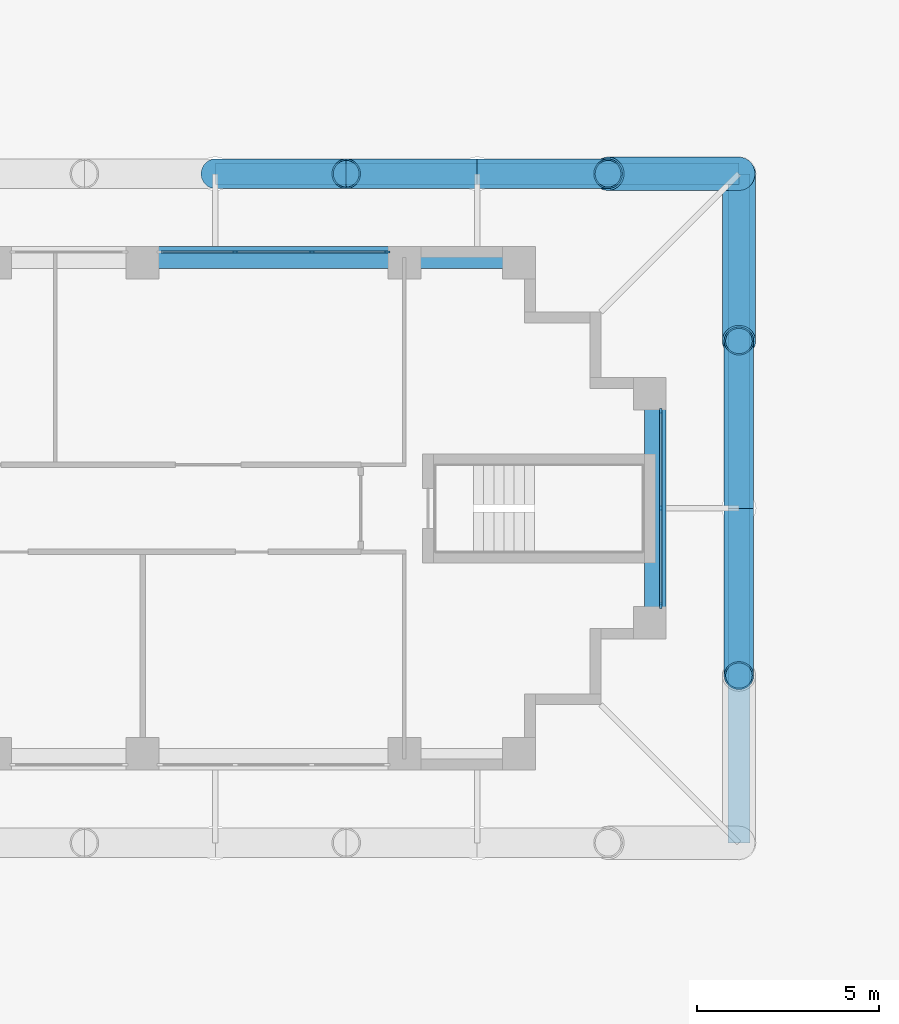
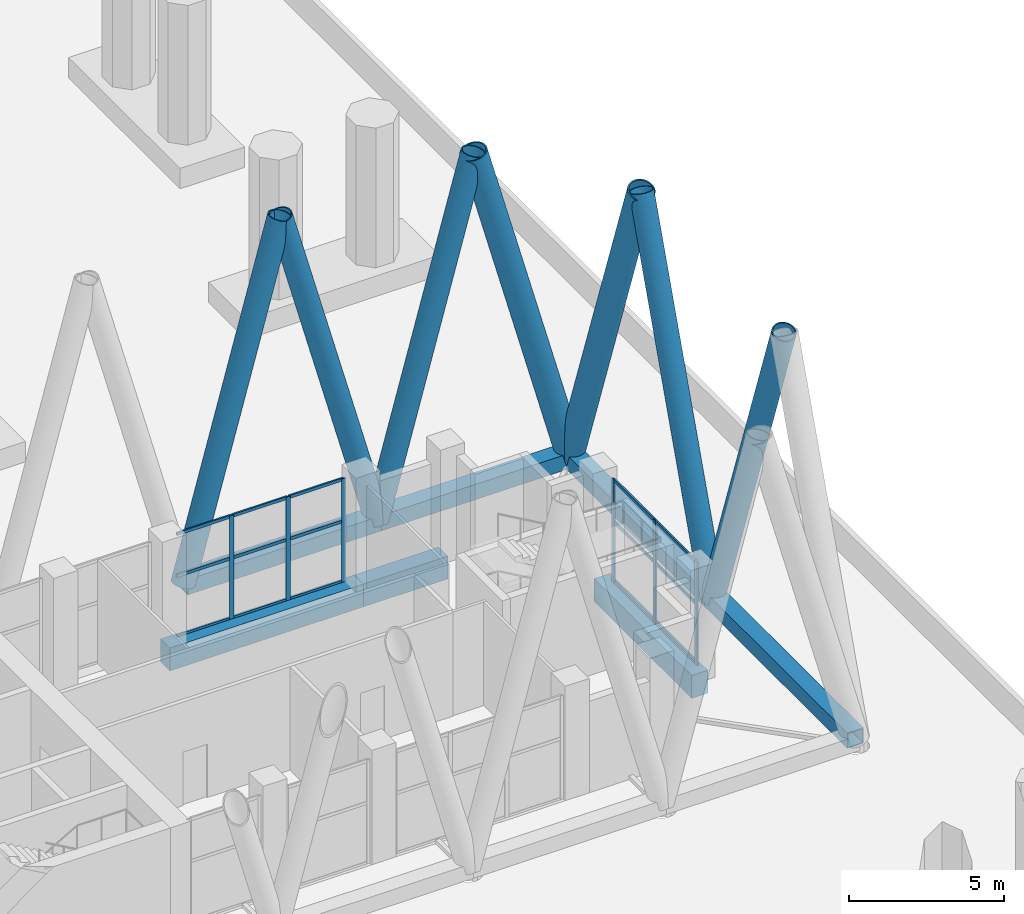
# One storey, part 10 of 31: 32 members, 3 beams, 2 elements without a shape of their own.
"""IFC4 building model written with IfcOpenShell, lengths in metres."""

import ifcopenshell
import ifcopenshell.guid

model = None  # the IFC model being written
_history = None  # IfcOwnerHistory: only IFC2X3 demands one
_inside = {}  # id of a spatial element -> (the spatial element, [elements in it])
_under = {}  # id of a project, library or spatial element -> (it, [spatial elements below it])
_declared = {}  # id of a project -> (the project, [libraries it declares])
_typed = {}  # id of a type object -> (the type object, [elements of that type])
_made_of = {}  # id of a material, layer set ... -> (it, [elements and type objects made of it])


def new_model(schema):
    """Start an empty IFC model of exactly this schema.

    Asked for "IFC4X3", IfcOpenShell would pick the latest addendum, in which some entities
    have other attributes; the version numbers below select the first issue.
    IFC2X3 requires an IfcOwnerHistory on every rooted entity: one is made here for all.
    """
    global model, _history
    if schema == "IFC4X3":
        model = ifcopenshell.file(schema_version=(4, 3, 0, 0))
    else:
        model = ifcopenshell.file(schema=schema)
    _inside.clear()
    _under.clear()
    _declared.clear()
    _typed.clear()
    _made_of.clear()
    _history = None
    if model.schema == "IFC2X3":
        org = make("IfcOrganization", Name="unknown")
        user = make(
            "IfcPersonAndOrganization",
            ThePerson=make("IfcPerson", FamilyName="unknown"),
            TheOrganization=org,
        )
        app = make(
            "IfcApplication",
            ApplicationDeveloper=org,
            Version="unknown",
            ApplicationFullName="unknown",
            ApplicationIdentifier="unknown",
        )
        _history = make(
            "IfcOwnerHistory",
            OwningUser=user,
            OwningApplication=app,
            ChangeAction="ADDED",
            CreationDate=0,
        )
    return model


def make(cls, **values):
    """One entity of the class cls with the attributes given. An attribute that is None is left unset."""
    return model.create_entity(
        cls, **{name: value for name, value in values.items() if value is not None}
    )


def rooted(cls, **values):
    """An entity with a GlobalId (a new one), such as an element, a storey or a relation."""
    return make(cls, GlobalId=ifcopenshell.guid.new(), OwnerHistory=_history, **values)


def si_unit(unit_type, name, prefix=None):
    """IfcSIUnit, for example si_unit("LENGTHUNIT", "METRE", prefix="MILLI")."""
    return make("IfcSIUnit", UnitType=unit_type, Prefix=prefix, Name=name)


def assignment(units):
    """IfcUnitAssignment: the units of a project."""
    return None if units is None else make("IfcUnitAssignment", Units=units)


def point(xyz):
    """IfcCartesianPoint."""
    return None if xyz is None else make("IfcCartesianPoint", Coordinates=xyz)


def direction(xyz):
    """IfcDirection."""
    return None if xyz is None else make("IfcDirection", DirectionRatios=xyz)


def frame(location, z_axis=None, x_axis=None):
    """IfcAxis2Placement3D, a coordinate frame: its origin and axes. An axis left out is left unset."""
    return make(
        "IfcAxis2Placement3D",
        Location=point(location),
        Axis=direction(z_axis),
        RefDirection=direction(x_axis),
    )


def frame_2d(location, x_axis=None):
    """IfcAxis2Placement2D, a coordinate frame in the plane: its origin and x axis."""
    return make(
        "IfcAxis2Placement2D", Location=point(location), RefDirection=direction(x_axis)
    )


def origin():
    """The frame at (0, 0, 0) with its axes left unset."""
    return frame((0.0, 0.0, 0.0))


def origin_2d():
    """The frame at (0, 0) in the plane with its x axis left unset."""
    return frame_2d((0.0, 0.0))


def place(relative_to, where):
    """IfcLocalPlacement: puts the frame where relative to a parent placement (None: the world)."""
    return make(
        "IfcLocalPlacement", PlacementRelTo=relative_to, RelativePlacement=where
    )


def context(
    kind, dimensions, precision=None, world=None, true_north=None, identifier=None
):
    """IfcGeometricRepresentationContext, for example the 3D "Model" context."""
    return make(
        "IfcGeometricRepresentationContext",
        ContextIdentifier=identifier,
        ContextType=kind,
        CoordinateSpaceDimension=dimensions,
        Precision=precision,
        WorldCoordinateSystem=world,
        TrueNorth=true_north,
    )


def subcontext(parent, identifier, kind, view, scale=None):
    """IfcGeometricRepresentationSubContext, for example "Body" below "Model"."""
    return make(
        "IfcGeometricRepresentationSubContext",
        ContextIdentifier=identifier,
        ContextType=kind,
        ParentContext=parent,
        TargetScale=scale,
        TargetView=view,
    )


def project(units=None, contexts=None):
    """IfcProject with its units and contexts."""
    return rooted(
        "IfcProject",
        Name="project",
        RepresentationContexts=contexts,
        UnitsInContext=assignment(units),
    )


def spatial(cls, under=None, at=None, **own):
    """A site, building, storey or space (cls), placed at a placement, below another one or the project."""
    s = rooted(cls, ObjectPlacement=at, **own)
    if under is not None:
        _under.setdefault(under.id(), (under, []))[1].append(s)
    return s


def profile(cls, at=None, kind="AREA", **sizes):
    """A parametric profile (cls). Its sizes go by their IFC names, for example OverallWidth=200.0."""
    return make(cls, ProfileType=kind, Position=at, **sizes)


def rectangle(**sizes):
    """IfcRectangleProfileDef."""
    return profile("IfcRectangleProfileDef", **sizes)


def hollow_rectangle(**sizes):
    """IfcRectangleHollowProfileDef."""
    return profile("IfcRectangleHollowProfileDef", **sizes)


def hollow_circle(**sizes):
    """IfcCircleHollowProfileDef."""
    return profile("IfcCircleHollowProfileDef", **sizes)


def extrude(swept, where, along, depth):
    """IfcExtrudedAreaSolid: the profile swept, set in the frame where, extruded along a direction by depth."""
    return make(
        "IfcExtrudedAreaSolid",
        SweptArea=swept,
        Position=where,
        ExtrudedDirection=direction(along),
        Depth=depth,
    )


def shape(context_of_items, identifier, shape_type, items):
    """IfcShapeRepresentation: the items that make up one representation, for example the "Body"."""
    return make(
        "IfcShapeRepresentation",
        ContextOfItems=context_of_items,
        RepresentationIdentifier=identifier,
        RepresentationType=shape_type,
        Items=items,
    )


def material(Name=None, Category=None):
    """IfcMaterial."""
    return make("IfcMaterial", Name=Name, Category=Category)


def material_profile(
    of_material, cross_section, Name=None, Category=None, Priority=None
):
    """IfcMaterialProfile: a cross section and its material."""
    return make(
        "IfcMaterialProfile",
        Name=Name,
        Material=of_material,
        Profile=cross_section,
        Priority=Priority,
        Category=Category,
    )


def profile_set(profiles, Name=None, composite=None):
    """IfcMaterialProfileSet."""
    return make(
        "IfcMaterialProfileSet",
        Name=Name,
        MaterialProfiles=profiles,
        CompositeProfile=composite,
    )


def made_of(thing, what):
    """Note that an element or type object is made of a material, layer set ...; save() writes the relation."""
    if what is not None:
        _made_of.setdefault(what.id(), (what, []))[1].append(thing)
    return thing


def type_object(cls, material=None, **own):
    """A type object (cls), such as IfcWallType, which elements share."""
    return made_of(rooted(cls, **own), material)


def element(
    cls,
    number,
    at=None,
    inside=None,
    cuts=None,
    type_object=None,
    material=None,
    context=None,
    identifier="Body",
    shape_type=None,
    held_by="IfcProductDefinitionShape",
    body=None,
    shapes=None,
    **own,
):
    """One element of the class cls, such as IfcWall. Its Tag is "e" and its number.

    at: its placement. inside: the storey or other place that contains it. cuts: it is an
    opening in that element (IfcRelVoidsElement). A single representation is given by context,
    identifier, shape_type and body (its items); several are given by shapes. held_by: the class
    of the entity that holds the representations. save() writes the other relations.
    """
    e = rooted(cls, Tag="e%d" % number, ObjectPlacement=at, **own)
    if body is not None:
        shapes = [shape(context, identifier, shape_type, body)]
    if shapes is not None:
        e.Representation = make(held_by, Representations=shapes)
    if inside is not None:
        _inside.setdefault(inside.id(), (inside, []))[1].append(e)
    if cuts is not None:
        rooted(
            "IfcRelVoidsElement", RelatingBuildingElement=cuts, RelatedOpeningElement=e
        )
    if type_object is not None:
        _typed.setdefault(type_object.id(), (type_object, []))[1].append(e)
    return made_of(e, material)


def aggregate(whole, parts):
    """IfcRelAggregates: a whole, such as a stair, and the parts it consists of."""
    return rooted("IfcRelAggregates", RelatingObject=whole, RelatedObjects=parts)


def save(model, path):
    """Write the relations noted so far, then the file.

    IfcRelAggregates (storeys below a building ...), IfcRelContainedInSpatialStructure (elements
    in a storey), IfcRelDefinesByType, IfcRelAssociatesMaterial and IfcRelDeclares: one each for
    every whole, place, type object, material and project.
    """
    for whole, parts in _under.values():
        aggregate(whole, parts)
    for where, things in _inside.values():
        rooted(
            "IfcRelContainedInSpatialStructure",
            RelatedElements=things,
            RelatingStructure=where,
        )
    for kind, things in _typed.values():
        rooted("IfcRelDefinesByType", RelatedObjects=things, RelatingType=kind)
    for what, things in _made_of.values():
        rooted("IfcRelAssociatesMaterial", RelatedObjects=things, RelatingMaterial=what)
    for by, libraries in _declared.values():
        rooted("IfcRelDeclares", RelatingContext=by, RelatedDefinitions=libraries)
    model.write(path)


model = new_model("IFC4")

# Units and contexts
model_context = context("Model", 3, precision=1e-05, world=origin(), true_north=direction((0.0, 1.0)))
body_context = subcontext(model_context, "Body", "Model", "MODEL_VIEW")
ifc_project = project(units=[si_unit("LENGTHUNIT", "METRE"), si_unit("AREAUNIT", "SQUARE_METRE"), si_unit("VOLUMEUNIT", "CUBIC_METRE"), si_unit("PLANEANGLEUNIT", "RADIAN"), si_unit("MASSUNIT", "GRAM", prefix="KILO")], contexts=[model_context])

# Site, building, storey
site_placement = place(None, origin())
site = spatial("IfcSite", under=ifc_project, at=site_placement, CompositionType="ELEMENT")
building_placement = place(site_placement, origin())
building = spatial("IfcBuilding", under=site, at=building_placement, Name="Fustian Cross Tower", CompositionType="ELEMENT")
storey_placement = place(building_placement, frame((0.0, 0.0, 7.199951171875)))
storey = spatial("IfcBuildingStorey", under=building, at=storey_placement, Name="L01", CompositionType="ELEMENT", Elevation=7.199951171875)

# Curtain wall, members
ifc_material_1 = material(Name="Glass", Category="glass")
curtain_wall_type = type_object("IfcCurtainWallType", Name="CW4 CURTAIN WALL", PredefinedType="NOTDEFINED", material=ifc_material_1)
curtain_wall_1_placement = place(storey_placement, origin())
curtain_wall_1 = element("IfcCurtainWall", 1, at=curtain_wall_1_placement, inside=storey, type_object=curtain_wall_type, Name="Curtain wall CW4", PredefinedType="NOTDEFINED")
ifc_material_2 = material(Name="Aluminium alloy 6063", Category="aluminium")
ifc_material_profile_1 = material_profile(ifc_material_2, rectangle(XDim=0.06005859375, YDim=0.159912109375, at=origin_2d()), Name="CW4 MULLION 60x160")
ifc_profile_set_1 = profile_set([ifc_material_profile_1], Name="Aluminium alloy 6063")
member_type_1 = type_object("IfcMemberType", Name="CW4 MULLION 60x160", PredefinedType="MULLION", material=ifc_profile_set_1)
member_1_placement = place(storey_placement, frame((43.050048828125, -2.669921875, 0.0), z_axis=(0.0, 0.0, 1.0), x_axis=(-1.0, 0.0, 0.0)))
member_1 = element("IfcMember", 2, at=member_1_placement, type_object=member_type_1, Name="CW4 mullion 1", PredefinedType="MULLION", context=body_context, shape_type="SweptSolid", body=[
    extrude(rectangle(XDim=0.06005859375, YDim=0.159912109375, at=origin_2d()), origin(), (0.0, 0.0, 1.0), 4.074951171875),
])
member_2_placement = place(storey_placement, frame((43.050048828125, 0.0, 0.0), z_axis=(0.0, 0.0, 1.0), x_axis=(-1.0, 0.0, 0.0)))
member_2 = element("IfcMember", 3, at=member_2_placement, type_object=member_type_1, Name="CW4 mullion 2", PredefinedType="MULLION", context=body_context, shape_type="SweptSolid", body=[
    extrude(rectangle(XDim=0.06005859375, YDim=0.159912109375, at=origin_2d()), origin(), (0.0, 0.0, 1.0), 4.074951171875),
])
member_3_placement = place(storey_placement, frame((43.050048828125, 2.669921875, 0.0), z_axis=(0.0, 0.0, 1.0), x_axis=(-1.0, 0.0, 0.0)))
member_3 = element("IfcMember", 4, at=member_3_placement, type_object=member_type_1, Name="CW4 mullion 3", PredefinedType="MULLION", context=body_context, shape_type="SweptSolid", body=[
    extrude(rectangle(XDim=0.06005859375, YDim=0.159912109375, at=origin_2d()), origin(), (0.0, 0.0, 1.0), 4.074951171875),
])

curtain_wall_2_placement = place(storey_placement, origin())
curtain_wall_2 = element("IfcCurtainWall", 5, at=curtain_wall_2_placement, inside=storey, type_object=curtain_wall_type, Name="Curtain wall CW4", PredefinedType="NOTDEFINED")
member_4_placement = place(storey_placement, frame((35.52001953125, 7.050048828125, 0.0), z_axis=(0.0, 0.0, 1.0), x_axis=(0.0, -1.0, 0.0)))
member_4 = element("IfcMember", 6, at=member_4_placement, type_object=member_type_1, Name="CW4 mullion 1", PredefinedType="MULLION", context=body_context, shape_type="SweptSolid", body=[
    extrude(rectangle(XDim=0.06005859375, YDim=0.159912109375, at=origin_2d()), origin(), (0.0, 0.0, 1.0), 4.074951171875),
])
member_5_placement = place(storey_placement, frame((33.449951171875, 7.050048828125, 0.0), z_axis=(0.0, 0.0, 1.0), x_axis=(0.0, -1.0, 0.0)))
member_5 = element("IfcMember", 7, at=member_5_placement, type_object=member_type_1, Name="CW4 mullion 2", PredefinedType="MULLION", context=body_context, shape_type="SweptSolid", body=[
    extrude(rectangle(XDim=0.06005859375, YDim=0.159912109375, at=origin_2d()), origin(), (0.0, 0.0, 1.0), 4.074951171875),
])
member_6_placement = place(storey_placement, frame((31.35009765625, 7.050048828125, 0.0), z_axis=(0.0, 0.0, 1.0), x_axis=(0.0, -1.0, 0.0)))
member_6 = element("IfcMember", 8, at=member_6_placement, type_object=member_type_1, Name="CW4 mullion 3", PredefinedType="MULLION", context=body_context, shape_type="SweptSolid", body=[
    extrude(rectangle(XDim=0.06005859375, YDim=0.159912109375, at=origin_2d()), origin(), (0.0, 0.0, 1.0), 4.074951171875),
])

# Member
ifc_material_3 = material(Name="Aluminium alloy 6063", Category="aluminium")
ifc_material_profile_2 = material_profile(ifc_material_3, rectangle(XDim=0.06005859375, YDim=0.1201171875, at=origin_2d()), Name="CW4 TRANSOM 60x120")
ifc_profile_set_2 = profile_set([ifc_material_profile_2], Name="Aluminium alloy 6063")
member_type_2 = type_object("IfcMemberType", Name="CW4 TRANSOM 60x120", PredefinedType="USERDEFINED", material=ifc_profile_set_2)
member_7_placement = place(storey_placement, frame((43.050048828125, -2.639892578125, 0.030029296875), z_axis=(0.0, 1.0, 0.0), x_axis=(-1.0, 0.0, 0.0)))
member_7 = element("IfcMember", 9, at=member_7_placement, type_object=member_type_2, Name="CW4 transom 1.1", ObjectType="TRANSOM", PredefinedType="USERDEFINED", context=body_context, shape_type="SweptSolid", body=[
    extrude(rectangle(XDim=0.06005859375, YDim=0.1201171875, at=origin_2d()), origin(), (0.0, 0.0, 1.0), 2.60986328125),
])

member_8_placement = place(storey_placement, frame((43.050048828125, -2.639892578125, 2.400146484375), z_axis=(0.0, 1.0, 0.0), x_axis=(-1.0, 0.0, 0.0)))
member_8 = element("IfcMember", 10, at=member_8_placement, type_object=member_type_2, Name="CW4 transom 1.2", ObjectType="TRANSOM", PredefinedType="USERDEFINED", context=body_context, shape_type="SweptSolid", body=[
    extrude(rectangle(XDim=0.06005859375, YDim=0.1201171875, at=origin_2d()), origin(), (0.0, 0.0, 1.0), 2.60986328125),
])

member_9_placement = place(storey_placement, frame((43.050048828125, -2.639892578125, 4.045166015625), z_axis=(0.0, 1.0, 0.0), x_axis=(-1.0, 0.0, 0.0)))
member_9 = element("IfcMember", 11, at=member_9_placement, type_object=member_type_2, Name="CW4 transom 1.3", ObjectType="TRANSOM", PredefinedType="USERDEFINED", context=body_context, shape_type="SweptSolid", body=[
    extrude(rectangle(XDim=0.06005859375, YDim=0.1201171875, at=origin_2d()), origin(), (0.0, 0.0, 1.0), 2.60986328125),
])

member_10_placement = place(storey_placement, frame((43.050048828125, 0.030029296875, 0.030029296875), z_axis=(0.0, 1.0, 0.0), x_axis=(-1.0, 0.0, 0.0)))
member_10 = element("IfcMember", 12, at=member_10_placement, type_object=member_type_2, Name="CW4 transom 2.1", ObjectType="TRANSOM", PredefinedType="USERDEFINED", context=body_context, shape_type="SweptSolid", body=[
    extrude(rectangle(XDim=0.06005859375, YDim=0.1201171875, at=origin_2d()), origin(), (0.0, 0.0, 1.0), 2.60986328125),
])

member_11_placement = place(storey_placement, frame((43.050048828125, 0.030029296875, 2.400146484375), z_axis=(0.0, 1.0, 0.0), x_axis=(-1.0, 0.0, 0.0)))
member_11 = element("IfcMember", 13, at=member_11_placement, type_object=member_type_2, Name="CW4 transom 2.2", ObjectType="TRANSOM", PredefinedType="USERDEFINED", context=body_context, shape_type="SweptSolid", body=[
    extrude(rectangle(XDim=0.06005859375, YDim=0.1201171875, at=origin_2d()), origin(), (0.0, 0.0, 1.0), 2.60986328125),
])

member_12_placement = place(storey_placement, frame((43.050048828125, 0.030029296875, 4.045166015625), z_axis=(0.0, 1.0, 0.0), x_axis=(-1.0, 0.0, 0.0)))
member_12 = element("IfcMember", 14, at=member_12_placement, type_object=member_type_2, Name="CW4 transom 2.3", ObjectType="TRANSOM", PredefinedType="USERDEFINED", context=body_context, shape_type="SweptSolid", body=[
    extrude(rectangle(XDim=0.06005859375, YDim=0.1201171875, at=origin_2d()), origin(), (0.0, 0.0, 1.0), 2.60986328125),
])

aggregate(curtain_wall_1, [member_1, member_2, member_3, member_7, member_8, member_9, member_10, member_11, member_12])

member_13_placement = place(storey_placement, frame((35.489990234375, 7.050048828125, 0.030029296875), z_axis=(-1.0, 0.0, 0.0), x_axis=(0.0, -1.0, 0.0)))
member_13 = element("IfcMember", 15, at=member_13_placement, type_object=member_type_2, Name="CW4 transom 1.1", ObjectType="TRANSOM", PredefinedType="USERDEFINED", context=body_context, shape_type="SweptSolid", body=[
    extrude(rectangle(XDim=0.06005859375, YDim=0.1201171875, at=origin_2d()), origin(), (0.0, 0.0, 1.0), 2.010009765625),
])

member_14_placement = place(storey_placement, frame((35.489990234375, 7.050048828125, 2.400146484375), z_axis=(-1.0, 0.0, 0.0), x_axis=(0.0, -1.0, 0.0)))
member_14 = element("IfcMember", 16, at=member_14_placement, type_object=member_type_2, Name="CW4 transom 1.2", ObjectType="TRANSOM", PredefinedType="USERDEFINED", context=body_context, shape_type="SweptSolid", body=[
    extrude(rectangle(XDim=0.06005859375, YDim=0.1201171875, at=origin_2d()), origin(), (0.0, 0.0, 1.0), 2.010009765625),
])

member_15_placement = place(storey_placement, frame((35.489990234375, 7.050048828125, 4.045166015625), z_axis=(-1.0, 0.0, 0.0), x_axis=(0.0, -1.0, 0.0)))
member_15 = element("IfcMember", 17, at=member_15_placement, type_object=member_type_2, Name="CW4 transom 1.3", ObjectType="TRANSOM", PredefinedType="USERDEFINED", context=body_context, shape_type="SweptSolid", body=[
    extrude(rectangle(XDim=0.06005859375, YDim=0.1201171875, at=origin_2d()), origin(), (0.0, 0.0, 1.0), 2.010009765625),
])

member_16_placement = place(storey_placement, frame((33.419921875, 7.050048828125, 0.030029296875), z_axis=(-1.0, 0.0, 0.0), x_axis=(0.0, -1.0, 0.0)))
member_16 = element("IfcMember", 18, at=member_16_placement, type_object=member_type_2, Name="CW4 transom 2.1", ObjectType="TRANSOM", PredefinedType="USERDEFINED", context=body_context, shape_type="SweptSolid", body=[
    extrude(rectangle(XDim=0.06005859375, YDim=0.1201171875, at=origin_2d()), origin(), (0.0, 0.0, 1.0), 2.0400390625),
])

member_17_placement = place(storey_placement, frame((33.419921875, 7.050048828125, 2.400146484375), z_axis=(-1.0, 0.0, 0.0), x_axis=(0.0, -1.0, 0.0)))
member_17 = element("IfcMember", 19, at=member_17_placement, type_object=member_type_2, Name="CW4 transom 2.2", ObjectType="TRANSOM", PredefinedType="USERDEFINED", context=body_context, shape_type="SweptSolid", body=[
    extrude(rectangle(XDim=0.06005859375, YDim=0.1201171875, at=origin_2d()), origin(), (0.0, 0.0, 1.0), 2.0400390625),
])

member_18_placement = place(storey_placement, frame((33.419921875, 7.050048828125, 4.045166015625), z_axis=(-1.0, 0.0, 0.0), x_axis=(0.0, -1.0, 0.0)))
member_18 = element("IfcMember", 20, at=member_18_placement, type_object=member_type_2, Name="CW4 transom 2.3", ObjectType="TRANSOM", PredefinedType="USERDEFINED", context=body_context, shape_type="SweptSolid", body=[
    extrude(rectangle(XDim=0.06005859375, YDim=0.1201171875, at=origin_2d()), origin(), (0.0, 0.0, 1.0), 2.0400390625),
])

member_19_placement = place(storey_placement, frame((31.320068359375, 7.050048828125, 0.030029296875), z_axis=(-1.0, 0.0, 0.0), x_axis=(0.0, -1.0, 0.0)))
member_19 = element("IfcMember", 21, at=member_19_placement, type_object=member_type_2, Name="CW4 transom 3.1", ObjectType="TRANSOM", PredefinedType="USERDEFINED", context=body_context, shape_type="SweptSolid", body=[
    extrude(rectangle(XDim=0.06005859375, YDim=0.1201171875, at=origin_2d()), origin(), (0.0, 0.0, 1.0), 2.010009765625),
])

member_20_placement = place(storey_placement, frame((31.320068359375, 7.050048828125, 2.400146484375), z_axis=(-1.0, 0.0, 0.0), x_axis=(0.0, -1.0, 0.0)))
member_20 = element("IfcMember", 22, at=member_20_placement, type_object=member_type_2, Name="CW4 transom 3.2", ObjectType="TRANSOM", PredefinedType="USERDEFINED", context=body_context, shape_type="SweptSolid", body=[
    extrude(rectangle(XDim=0.06005859375, YDim=0.1201171875, at=origin_2d()), origin(), (0.0, 0.0, 1.0), 2.010009765625),
])

member_21_placement = place(storey_placement, frame((31.320068359375, 7.050048828125, 4.045166015625), z_axis=(-1.0, 0.0, 0.0), x_axis=(0.0, -1.0, 0.0)))
member_21 = element("IfcMember", 23, at=member_21_placement, type_object=member_type_2, Name="CW4 transom 3.3", ObjectType="TRANSOM", PredefinedType="USERDEFINED", context=body_context, shape_type="SweptSolid", body=[
    extrude(rectangle(XDim=0.06005859375, YDim=0.1201171875, at=origin_2d()), origin(), (0.0, 0.0, 1.0), 2.010009765625),
])

aggregate(curtain_wall_2, [member_4, member_5, member_6, member_13, member_14, member_15, member_16, member_17, member_18, member_19, member_20, member_21])

# Members
ifc_material_4 = material(Name="Steel S355", Category="steel")
ifc_material_profile_3 = material_profile(ifc_material_4, hollow_circle(Radius=0.406494140625, WallThickness=0.0400390625, at=origin_2d()), Name="CHS 813x40")
ifc_profile_set_3 = profile_set([ifc_material_profile_3], Name="Steel S355")
member_type_3 = type_object("IfcMemberType", Name="DIAGRID DIAGONAL CHS 813x40", PredefinedType="BRACE", material=ifc_profile_set_3)
for number, where, z_axis, x_axis, name in (
    (24, (45.199951171875, 0.0, 0.300048828125), (0.0, -0.329082816703, 0.944301064148), (1.0, 0.0, 0.0), "Diagrid diagonal E-end 02"),
    (25, (45.199951171875, 0.0, 0.300048828125), (0.0, 0.329082816703, 0.944301064148), (-1.0, 0.0, 0.0), "Diagrid diagonal E-end 03"),
):
    element("IfcMember", number, at=place(storey_placement, frame(where, z_axis=z_axis, x_axis=x_axis)), inside=storey, type_object=member_type_3, Name=name, PredefinedType="BRACE", context=body_context, shape_type="SweptSolid", body=[
        extrude(hollow_circle(Radius=0.406494140625, WallThickness=0.0400390625, at=origin_2d()), origin(), (0.0, 0.0, 1.0), 13.978515625),
    ])
for number, where, z_axis, x_axis, name in (
    (26, (38.0, 9.199951171875, 0.300048828125), (0.263124955092, 0.0, 0.964761762306), (0.0, 1.0, 0.0), "Diagrid diagonal E-N 02"),
    (27, (38.0, 9.199951171875, 0.300048828125), (-0.263124955092, 0.0, 0.964761762306), (0.0, -1.0, 0.0), "Diagrid diagonal E-N 03"),
    (28, (30.800048828125, 9.199951171875, 0.300048828125), (0.263108346568, 0.0, 0.964766291889), (0.0, 1.0, 0.0), "Diagrid diagonal E-N 04"),
):
    element("IfcMember", number, at=place(storey_placement, frame(where, z_axis=z_axis, x_axis=x_axis)), inside=storey, type_object=member_type_3, Name=name, PredefinedType="BRACE", context=body_context, shape_type="SweptSolid", body=[
        extrude(hollow_circle(Radius=0.406494140625, WallThickness=0.0400390625, at=origin_2d()), origin(), (0.0, 0.0, 1.0), 13.68212890625),
    ])
ifc_material_5 = material(Name="Steel S355", Category="steel")
ifc_material_profile_4 = material_profile(ifc_material_5, hollow_circle(Radius=0.457275390625, WallThickness=0.050048828125, at=origin_2d()), Name="CHS 914x50")
ifc_profile_set_4 = profile_set([ifc_material_profile_4], Name="Steel S355")
member_type_4 = type_object("IfcMemberType", Name="DIAGRID DIAGONAL CHS 914x50", PredefinedType="BRACE", material=ifc_profile_set_4)
member_22_placement = place(storey_placement, frame((45.199951171875, 9.199951171875, 0.300048828125), z_axis=(0.0, -0.329067242605, 0.944306491476), x_axis=(1.0, 0.0, 0.0)))
element("IfcMember", 29, at=member_22_placement, inside=storey, type_object=member_type_4, Name="Diagrid diagonal E-end 04", PredefinedType="BRACE", context=body_context, shape_type="SweptSolid", body=[
    extrude(hollow_circle(Radius=0.457275390625, WallThickness=0.050048828125, at=origin_2d()), origin(), (0.0, 0.0, 1.0), 13.978515625),
])
member_23_placement = place(storey_placement, frame((45.199951171875, 9.199951171875, 0.300048828125), z_axis=(-0.263108346568, 0.0, 0.964766291889), x_axis=(0.0, -1.0, 0.0)))
element("IfcMember", 30, at=member_23_placement, inside=storey, type_object=member_type_4, Name="Diagrid diagonal E-N 01", PredefinedType="BRACE", context=body_context, shape_type="SweptSolid", body=[
    extrude(hollow_circle(Radius=0.457275390625, WallThickness=0.050048828125, at=origin_2d()), origin(), (0.0, 0.0, 1.0), 13.68212890625),
])
ifc_material_6 = material(Name="Steel S355", Category="steel")
ifc_material_profile_5 = material_profile(ifc_material_6, hollow_rectangle(XDim=0.60009765625, YDim=0.60009765625, WallThickness=0.030029296875, at=origin_2d()), Name="RHS 600x600x30")
ifc_profile_set_5 = profile_set([ifc_material_profile_5], Name="Steel S355")
member_type_5 = type_object("IfcMemberType", Name="DIAGRID RING RHS 600x600x30", PredefinedType="MEMBER", material=ifc_profile_set_5)
member_24_placement = place(storey_placement, frame((45.199951171875, 0.0, 0.300048828125), z_axis=(0.0, 1.0, 0.0), x_axis=(-1.0, 0.0, 0.0)))
element("IfcMember", 31, at=member_24_placement, inside=storey, type_object=member_type_5, Name="Diagrid ring L01-01 L01-02", PredefinedType="MEMBER", context=body_context, shape_type="SweptSolid", body=[
    extrude(hollow_rectangle(XDim=0.60009765625, YDim=0.60009765625, WallThickness=0.030029296875, at=origin_2d()), origin(), (0.0, 0.0, 1.0), 9.199951171875),
])
for number, where, z_axis, x_axis, name in (
    (32, (45.199951171875, 9.199951171875, 0.300048828125), (-1.0, 0.0, 0.0), (0.0, -1.0, 0.0), "Diagrid ring L01-02 L01-03"),
    (33, (38.0, 9.199951171875, 0.300048828125), (-1.0, 0.0, 0.0), (0.0, -1.0, 0.0), "Diagrid ring L01-03 L01-04"),
):
    element("IfcMember", number, at=place(storey_placement, frame(where, z_axis=z_axis, x_axis=x_axis)), inside=storey, type_object=member_type_5, Name=name, PredefinedType="MEMBER", context=body_context, shape_type="SweptSolid", body=[
        extrude(hollow_rectangle(XDim=0.60009765625, YDim=0.60009765625, WallThickness=0.030029296875, at=origin_2d()), origin(), (0.0, 0.0, 1.0), 7.199951171875),
    ])
member_25_placement = place(storey_placement, frame((45.199951171875, -9.199951171875, 0.300048828125), z_axis=(0.0, 1.0, 0.0), x_axis=(-1.0, 0.0, 0.0)))
element("IfcMember", 34, at=member_25_placement, inside=storey, type_object=member_type_5, Name="Diagrid ring L01-49 L01-01", PredefinedType="MEMBER", context=body_context, shape_type="SweptSolid", body=[
    extrude(hollow_rectangle(XDim=0.60009765625, YDim=0.60009765625, WallThickness=0.030029296875, at=origin_2d()), origin(), (0.0, 0.0, 1.0), 9.199951171875),
])

# Beams
ifc_material_7 = material(Name="Concrete C50/60", Category="concrete")
ifc_material_profile_6 = material_profile(ifc_material_7, rectangle(XDim=0.60009765625, YDim=0.89990234375, at=origin_2d()), Name="RC 600x900")
ifc_profile_set_6 = profile_set([ifc_material_profile_6], Name="Concrete C50/60")
beam_type = type_object("IfcBeamType", Name="EDGE BEAM RC 600x900 C50/60", PredefinedType="SPANDREL", material=ifc_profile_set_6)
beam_1_placement = place(storey_placement, frame((42.89990234375, -3.14990234375, -0.449951171875), z_axis=(0.0, 1.0, 0.0), x_axis=(-1.0, 0.0, 0.0)))
element("IfcBeam", 35, at=beam_1_placement, inside=storey, type_object=beam_type, Name="EDGE BEAM L01-05", PredefinedType="SPANDREL", context=body_context, shape_type="SweptSolid", body=[
    extrude(rectangle(XDim=0.60009765625, YDim=0.89990234375, at=origin_2d()), origin(), (0.0, 0.0, 1.0), 6.2998046875),
])
beam_2_placement = place(storey_placement, frame((39.14990234375, 6.89990234375, -0.449951171875), z_axis=(-1.0, 0.0, 0.0), x_axis=(0.0, -1.0, 0.0)))
element("IfcBeam", 36, at=beam_2_placement, inside=storey, type_object=beam_type, Name="EDGE BEAM L01-06", PredefinedType="SPANDREL", context=body_context, shape_type="SweptSolid", body=[
    extrude(rectangle(XDim=0.60009765625, YDim=0.89990234375, at=origin_2d()), origin(), (0.0, 0.0, 1.0), 3.14990234375),
])
beam_3_placement = place(storey_placement, frame((36.0, 6.89990234375, -0.449951171875), z_axis=(-1.0, 0.0, 0.0), x_axis=(0.0, -1.0, 0.0)))
element("IfcBeam", 37, at=beam_3_placement, inside=storey, type_object=beam_type, Name="EDGE BEAM L01-07", PredefinedType="SPANDREL", context=body_context, shape_type="SweptSolid", body=[
    extrude(rectangle(XDim=0.60009765625, YDim=0.89990234375, at=origin_2d()), origin(), (0.0, 0.0, 1.0), 7.199951171875),
])

save(model, "model.ifc")
